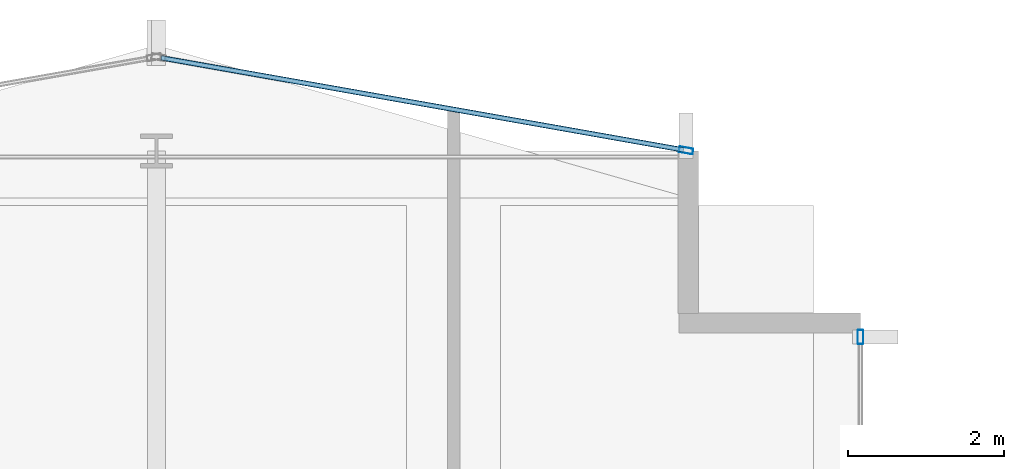
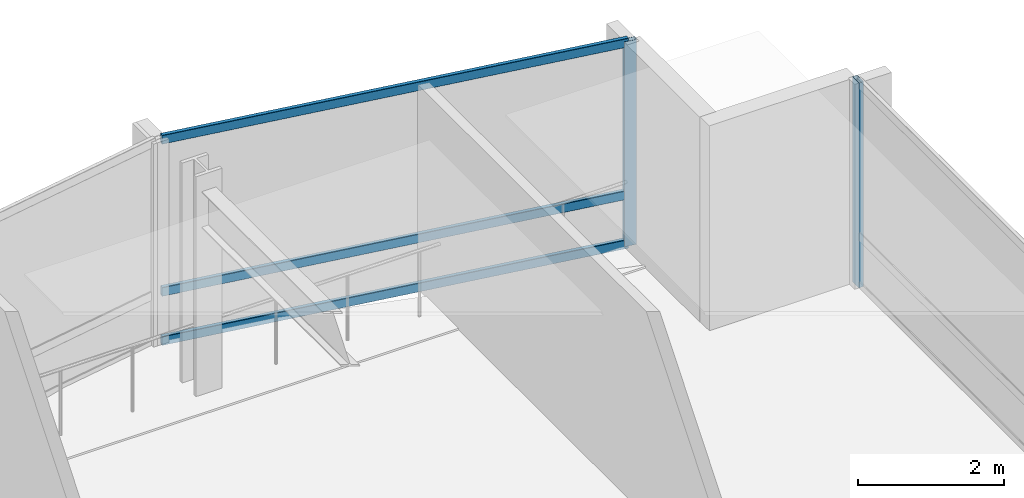
# One storey, part 20 of 28: 5 members, 2 elements without a shape of their own.
"""IFC4 building model written with IfcOpenShell, lengths in metres."""

from ifc_helpers import new_model, si_unit, direction, frame, origin, origin_2d, place, context, subcontext, project, spatial, hollow_rectangle, extrude, material, layer, layer_set, material_profile, profile_set, type_object, element, aggregate, save


model = new_model("IFC4")

# Units and contexts
model_context = context("Model", 3, precision=1e-05, world=origin(), true_north=direction((0.0, 1.0)))
body_context = subcontext(model_context, "Body", "Model", "MODEL_VIEW")
ifc_project = project(units=[si_unit("LENGTHUNIT", "METRE"), si_unit("AREAUNIT", "SQUARE_METRE"), si_unit("VOLUMEUNIT", "CUBIC_METRE"), si_unit("PLANEANGLEUNIT", "RADIAN"), si_unit("MASSUNIT", "GRAM", prefix="KILO")], contexts=[model_context])

# Site, building, storey
site_placement = place(None, origin())
site = spatial("IfcSite", under=ifc_project, at=site_placement, CompositionType="ELEMENT")
building_placement = place(site_placement, origin())
building = spatial("IfcBuilding", under=site, at=building_placement, Name="Solvaryn Broadcast Tower", CompositionType="ELEMENT")
storey_placement = place(building_placement, frame((0.0, 0.0, 158.10009765625)))
storey = spatial("IfcBuildingStorey", under=building, at=storey_placement, Name="L39", CompositionType="ELEMENT", Elevation=158.10009765625)

# Curtain wall, member
ifc_material_1 = material(Name="Aluminium and Terracotta Unitised Curtain Wall", Category="masonry")
ifc_layer = layer(ifc_material_1, 0.199951171875)
ifc_layer_set = layer_set([ifc_layer], Name="CW-SYS2-LOWMID")
curtain_wall_type = type_object("IfcCurtainWallType", Name="CW-SYS2-LOWMID", PredefinedType="NOTDEFINED", material=ifc_layer_set)
curtain_wall_1_placement = place(storey_placement, origin())
curtain_wall_1 = element("IfcCurtainWall", 1, at=curtain_wall_1_placement, inside=storey, type_object=curtain_wall_type, Name="L39 Curtain Wall IV", PredefinedType="NOTDEFINED")
ifc_material_2 = material(Name="Anodised Aluminium 6063-T6", Category="aluminium")
ifc_material_profile_1 = material_profile(ifc_material_2, hollow_rectangle(XDim=0.074951171875, YDim=0.179931640625, WallThickness=0.00390625, InnerFilletRadius=0.00390625, OuterFilletRadius=0.008056640625, at=origin_2d()))
ifc_profile_set_1 = profile_set([ifc_material_profile_1], Name="Anodised Aluminium 6063-T6")
member_type_1 = type_object("IfcMemberType", Name="CW-MUL-180", PredefinedType="MULLION", material=ifc_profile_set_1)
member_1_placement = place(storey_placement, frame((27.0, 51.6201171875, 0.0), z_axis=(0.0, 0.0, 1.0), x_axis=(1.0, 0.0, 0.0)))
member_1 = element("IfcMember", 2, at=member_1_placement, type_object=member_type_1, Name="CWS2 mullion 1", PredefinedType="MULLION", context=body_context, shape_type="SweptSolid", body=[
    extrude(hollow_rectangle(XDim=0.074951171875, YDim=0.179931640625, WallThickness=0.00390625, InnerFilletRadius=0.00390625, OuterFilletRadius=0.008056640625, at=origin_2d()), origin(), (0.0, 0.0, 1.0), 3.419921875),
])
aggregate(curtain_wall_1, [member_1])

# Curtain wall, members
curtain_wall_2_placement = place(storey_placement, origin())
curtain_wall_2 = element("IfcCurtainWall", 3, at=curtain_wall_2_placement, inside=storey, type_object=curtain_wall_type, Name="L39 Curtain Wall NT1", PredefinedType="NOTDEFINED")
member_2_placement = place(storey_placement, frame((24.7705078125, 54.005126953125, 0.0), z_axis=(0.0, 0.0, 1.0), x_axis=(-0.173785333901, -0.984783558819, 0.0)))
member_2 = element("IfcMember", 4, at=member_2_placement, type_object=member_type_1, Name="CWS2 mullion 1", PredefinedType="MULLION", context=body_context, shape_type="SweptSolid", body=[
    extrude(hollow_rectangle(XDim=0.074951171875, YDim=0.179931640625, WallThickness=0.00390625, InnerFilletRadius=0.00390625, OuterFilletRadius=0.008056640625, at=origin_2d()), origin(), (0.0, 0.0, 1.0), 3.419921875),
])
ifc_material_3 = material(Name="Anodised Aluminium 6063-T6", Category="aluminium")
ifc_material_profile_2 = material_profile(ifc_material_3, hollow_rectangle(XDim=0.06494140625, YDim=0.14990234375, WallThickness=0.00390625, InnerFilletRadius=0.00390625, OuterFilletRadius=0.008056640625, at=origin_2d()))
ifc_profile_set_2 = profile_set([ifc_material_profile_2], Name="Anodised Aluminium 6063-T6")
member_type_2 = type_object("IfcMemberType", Name="CW-TRN-150", PredefinedType="USERDEFINED", material=ifc_profile_set_2)
member_3_placement = place(storey_placement, frame((24.740966796875, 54.010498046875, 0.02978515625), z_axis=(-0.984788629673, 0.173756596613, 0.0), x_axis=(-0.173756596613, -0.984788629673, 0.0)))
member_3 = element("IfcMember", 5, at=member_3_placement, type_object=member_type_2, Name="CWS2 transom 1.1", ObjectType="TRANSOM", PredefinedType="USERDEFINED", context=body_context, shape_type="SweptSolid", body=[
    extrude(hollow_rectangle(XDim=0.06494140625, YDim=0.14990234375, WallThickness=0.00390625, InnerFilletRadius=0.00390625, OuterFilletRadius=0.008056640625, at=origin_2d()), origin(), (0.0, 0.0, 1.0), 6.78515625),
])
member_4_placement = place(storey_placement, frame((24.740966796875, 54.010498046875, 0.849853515625), z_axis=(-0.984788629673, 0.173756596613, 0.0), x_axis=(-0.173756596613, -0.984788629673, 0.0)))
member_4 = element("IfcMember", 6, at=member_4_placement, type_object=member_type_2, Name="CWS2 transom 1.2", ObjectType="TRANSOM", PredefinedType="USERDEFINED", context=body_context, shape_type="SweptSolid", body=[
    extrude(hollow_rectangle(XDim=0.06494140625, YDim=0.14990234375, WallThickness=0.00390625, InnerFilletRadius=0.00390625, OuterFilletRadius=0.008056640625, at=origin_2d()), origin(), (0.0, 0.0, 1.0), 6.78515625),
])
member_5_placement = place(storey_placement, frame((24.740966796875, 54.010498046875, 3.389892578125), z_axis=(-0.984788629673, 0.173756596613, 0.0), x_axis=(-0.173756596613, -0.984788629673, 0.0)))
member_5 = element("IfcMember", 7, at=member_5_placement, type_object=member_type_2, Name="CWS2 transom 1.3", ObjectType="TRANSOM", PredefinedType="USERDEFINED", context=body_context, shape_type="SweptSolid", body=[
    extrude(hollow_rectangle(XDim=0.06494140625, YDim=0.14990234375, WallThickness=0.00390625, InnerFilletRadius=0.00390625, OuterFilletRadius=0.008056640625, at=origin_2d()), origin(), (0.0, 0.0, 1.0), 6.78515625),
])
aggregate(curtain_wall_2, [member_2, member_3, member_4, member_5])

save(model, "model.ifc")
